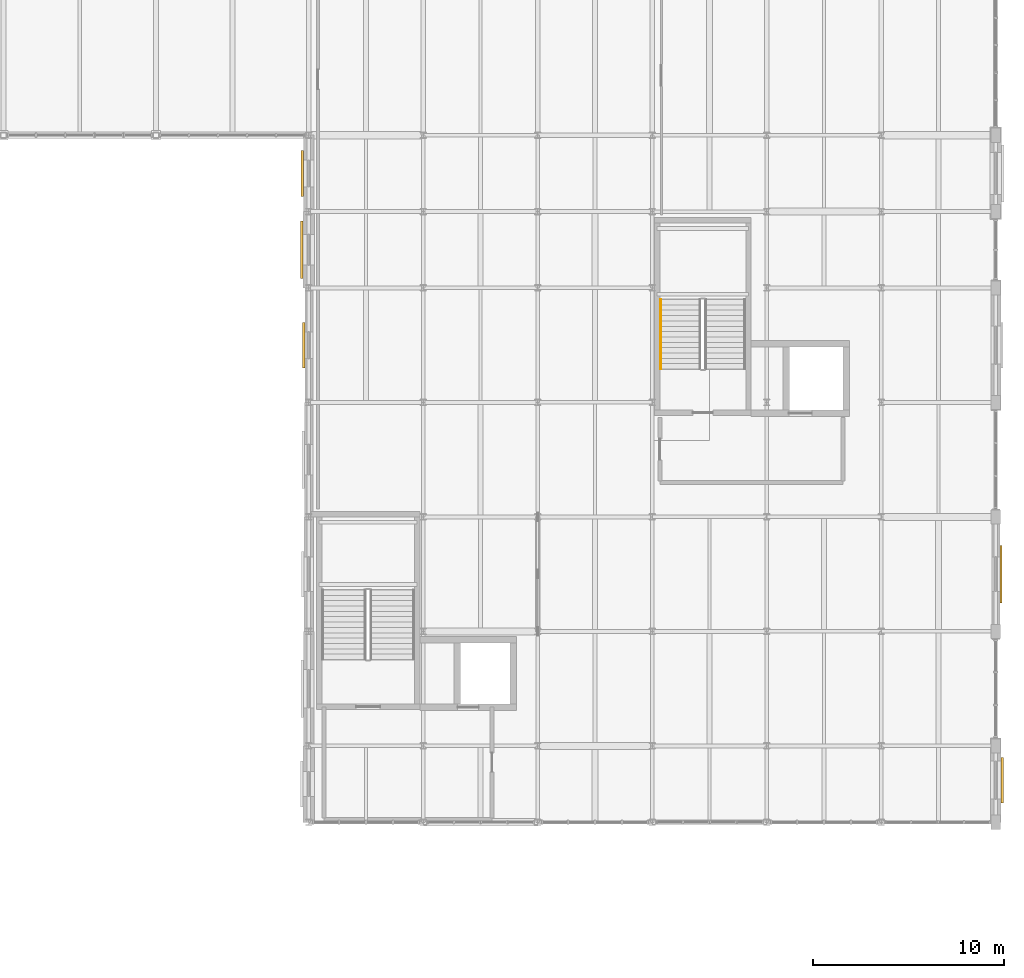
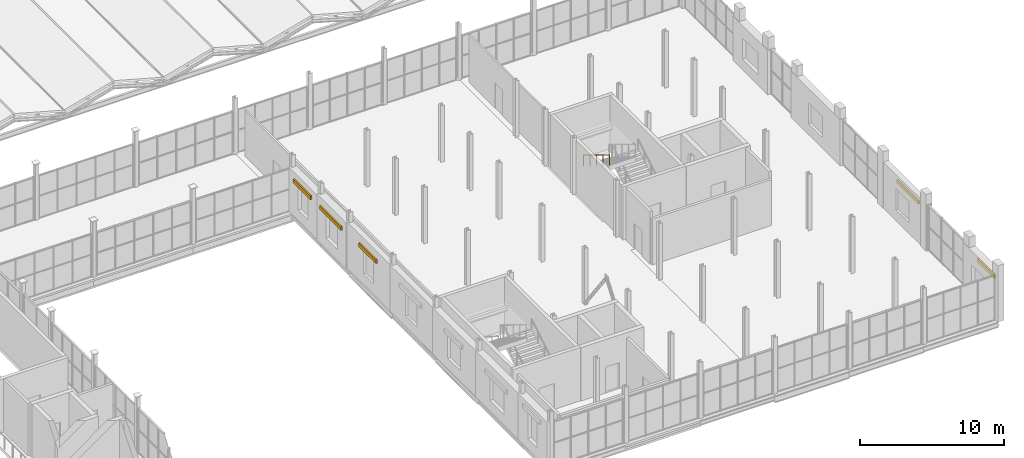
# One storey, part 113 of 114: 5 shading devices, 1 railing.
"""IFC4 building model written with IfcOpenShell, lengths in metres."""

from ifc_helpers import new_model, si_unit, direction, frame, origin, origin_2d, place, context, subcontext, project, spatial, rectangle, circle, extrude, material, type_object, element, save


model = new_model("IFC4")

# Units and contexts
model_context = context("Model", 3, precision=1e-05, world=origin(), true_north=direction((0.0, 1.0)))
body_context = subcontext(model_context, "Body", "Model", "MODEL_VIEW")
ifc_project = project(units=[si_unit("LENGTHUNIT", "METRE"), si_unit("AREAUNIT", "SQUARE_METRE"), si_unit("VOLUMEUNIT", "CUBIC_METRE"), si_unit("PLANEANGLEUNIT", "RADIAN"), si_unit("MASSUNIT", "GRAM", prefix="KILO")], contexts=[model_context])

# Site, building, storey
site_placement = place(None, origin())
site = spatial("IfcSite", under=ifc_project, at=site_placement, CompositionType="ELEMENT")
building_placement = place(site_placement, origin())
building = spatial("IfcBuilding", under=site, at=building_placement, Name="Verrall Gate Interchange", CompositionType="ELEMENT")
storey_placement = place(building_placement, frame((0.0, 0.0, 6.60009765625)))
storey = spatial("IfcBuildingStorey", under=building, at=storey_placement, Name="L02", CompositionType="ELEMENT", Elevation=6.60009765625)

# Railing
ifc_material_1 = material(Name="Brushed Stainless-Steel Guardrail and Handrail System", Category="steel")
railing_type = type_object("IfcRailingType", Name="HR-01 Stair and Ramp Pitch-Line Handrail 920", PredefinedType="HANDRAIL", material=ifc_material_1)
railing_placement = place(storey_placement, frame((150.449951171875, 39.389892578125, 2.5712890625)))
element("IfcRailing", 1, at=railing_placement, inside=storey, type_object=railing_type, Name="L02 ST-09 stair handrail 2", PredefinedType="HANDRAIL", context=body_context, shape_type="SweptSolid", body=[
    extrude(circle(Radius=0.02392578125, at=origin_2d()), frame((0.0, 0.0, 0.8759765625), z_axis=(0.0, -0.852850264322, 0.5221555579), x_axis=(1.0, 0.0, 0.0)), (0.0, 0.0, 1.0), 4.267822265625),
    extrude(circle(Radius=0.02099609375, at=origin_2d()), origin(), (0.0, 0.0, 1.0), 0.851806640625),
    extrude(circle(Radius=0.02099609375, at=origin_2d()), frame((0.0, -0.909912109375, 0.55712890625)), (0.0, 0.0, 1.0), 0.851806640625),
    extrude(circle(Radius=0.02099609375, at=origin_2d()), frame((0.0, -1.81982421875, 1.1142578125)), (0.0, 0.0, 1.0), 0.851806640625),
    extrude(circle(Radius=0.02099609375, at=origin_2d()), frame((0.0, -2.72998046875, 1.67138671875)), (0.0, 0.0, 1.0), 0.851806640625),
    extrude(circle(Radius=0.02099609375, at=origin_2d()), frame((0.0, -3.639892578125, 2.228515625)), (0.0, 0.0, 1.0), 0.851806640625),
])

# Shading devices
ifc_material_2 = material(Name="Architectural Bronze Anodized Extruded Louvre Assembly", Category="aluminium")
shading_device_type_1 = type_object("IfcShadingDeviceType", Name="LV-01 Architectural Intake Louvre 2400x1200", PredefinedType="JALOUSIE", material=ifc_material_2)
for number, where, z_axis, x_axis, name in (
    (2, (168.340087890625, 14.2060546875, 2.65966796875), (0.0, 0.0, 1.0), (0.0, 1.0, 0.0), "L02 Architectural Bronze Brise-Soleil Louvre 007"),
    (3, (131.659912109375, 46.0, 2.9599609375), (0.0, 0.0, 1.0), (0.0, -1.0, 0.0), "L02 Architectural Bronze Brise-Soleil Louvre 011"),
    (4, (131.72998046875, 37.0, 2.9599609375), (0.0, 0.0, 1.0), (0.0, -1.0, 0.0), "L02 Architectural Bronze Brise-Soleil Louvre 013"),
):
    element("IfcShadingDevice", number, at=place(storey_placement, frame(where, z_axis=z_axis, x_axis=x_axis)), inside=storey, type_object=shading_device_type_1, Name=name, PredefinedType="JALOUSIE", context=body_context, shape_type="SweptSolid", body=[
        extrude(rectangle(XDim=2.39990234375, YDim=0.1201171875, at=origin_2d()), origin(), (0.0, 0.0, 1.0), 0.320068359375),
    ])
ifc_material_3 = material(Name="Architectural Bronze Anodized Extruded Louvre Assembly", Category="aluminium")
shading_device_type_2 = type_object("IfcShadingDeviceType", Name="LV-02 Architectural Intake Louvre 3000x1400", PredefinedType="JALOUSIE", material=ifc_material_3)
for number, where, z_axis, x_axis, name in (
    (5, (168.27001953125, 25.0, 2.65966796875), (0.0, 0.0, 1.0), (0.0, 1.0, 0.0), "L02 Architectural Bronze Brise-Soleil Louvre 008"),
    (6, (131.6298828125, 42.0, 2.9599609375), (0.0, 0.0, 1.0), (0.0, -1.0, 0.0), "L02 Architectural Bronze Brise-Soleil Louvre 012"),
):
    element("IfcShadingDevice", number, at=place(storey_placement, frame(where, z_axis=z_axis, x_axis=x_axis)), inside=storey, type_object=shading_device_type_2, Name=name, PredefinedType="JALOUSIE", context=body_context, shape_type="SweptSolid", body=[
        extrude(rectangle(XDim=3.0, YDim=0.1201171875, at=origin_2d()), origin(), (0.0, 0.0, 1.0), 0.320068359375),
    ])

save(model, "model.ifc")
